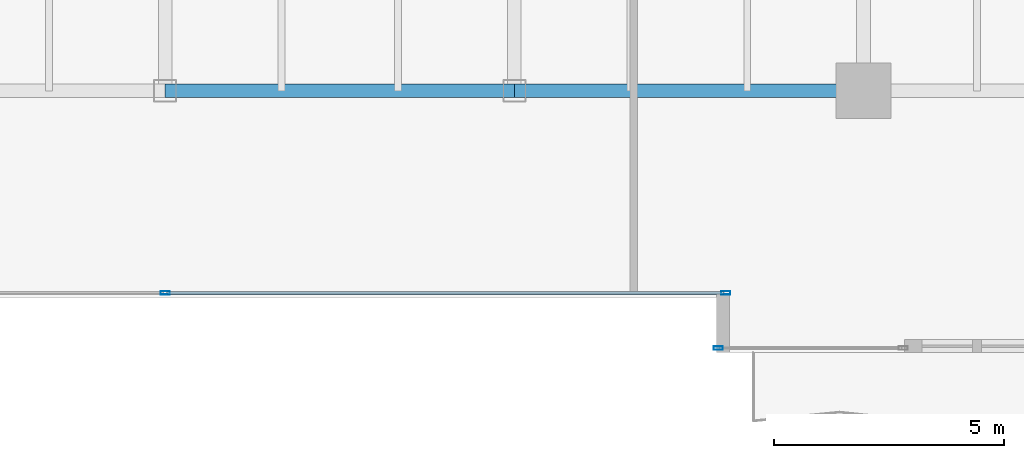
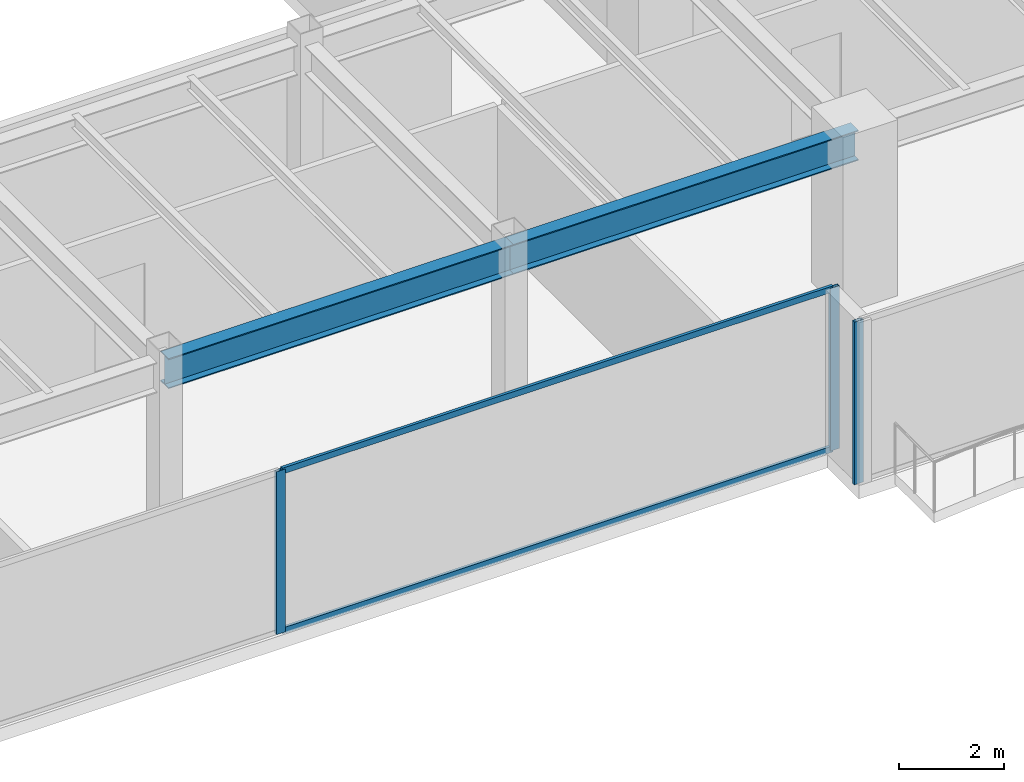
# One storey, part 8 of 30: 5 members, 2 beams, 2 elements without a shape of their own.
"""IFC4 building model written with IfcOpenShell, lengths in metres."""

from ifc_helpers import new_model, si_unit, direction, frame, origin, origin_2d, place, context, subcontext, project, spatial, hollow_rectangle, i_section, extrude, source, transform, mapped, material, layer, layer_set, material_profile, profile_set, type_object, type_shapes, element, aggregate, save


model = new_model("IFC4")

# Units and contexts
model_context = context("Model", 3, precision=1e-05, world=origin(), true_north=direction((0.0, 1.0)))
body_context = subcontext(model_context, "Body", "Model", "MODEL_VIEW")
ifc_project = project(units=[si_unit("LENGTHUNIT", "METRE"), si_unit("AREAUNIT", "SQUARE_METRE"), si_unit("VOLUMEUNIT", "CUBIC_METRE"), si_unit("PLANEANGLEUNIT", "RADIAN"), si_unit("MASSUNIT", "GRAM", prefix="KILO")], contexts=[model_context])

# Site, building, storey
site_placement = place(None, origin())
site = spatial("IfcSite", under=ifc_project, at=site_placement, CompositionType="ELEMENT")
building_placement = place(site_placement, origin())
building = spatial("IfcBuilding", under=site, at=building_placement, Name="Haelvirn Gate Laboratories", CompositionType="ELEMENT")
storey_placement = place(building_placement, frame((0.0, 0.0, 146.10009765625)))
storey = spatial("IfcBuildingStorey", under=building, at=storey_placement, Name="L35", CompositionType="ELEMENT", Elevation=146.10009765625)

# Beams
ifc_material_1 = material(Name="Steel SM355", Category="steel")
ifc_material_profile_1 = material_profile(ifc_material_1, i_section(OverallWidth=0.300048828125, OverallDepth=0.699951171875, WebThickness=0.012939453125, FlangeThickness=0.02392578125, at=origin_2d()), Name="H-700x300x13x24")
ifc_profile_set_1 = profile_set([ifc_material_profile_1], Name="Steel SM355")
beam_type = type_object("IfcBeamType", Name="BM-G-700", PredefinedType="BEAM", material=ifc_profile_set_1)
shared_shape_1 = source(origin(), body_context, "Body", "SweptSolid", [
    extrude(i_section(OverallWidth=0.300048828125, OverallDepth=0.699951171875, WebThickness=0.012939453125, FlangeThickness=0.02392578125, at=origin_2d()), origin(), (0.0, 0.0, 1.0), 7.60009765625),
])
type_shapes(beam_type, [shared_shape_1])
for number, where, z_axis, x_axis, name in (
    (1, (37.39990234375, 7.0, 3.43994140625), (1.0, 0.0, 0.0), (0.0, 1.0, 0.0), "L35 Primary Girder Y7.0 (37.4-45.0)"),
    (2, (45.0, 7.0, 3.43994140625), (1.0, 0.0, 0.0), (0.0, 1.0, 0.0), "L35 Primary Girder Y7.0 (45.0-52.6)"),
):
    element("IfcBeam", number, at=place(storey_placement, frame(where, z_axis=z_axis, x_axis=x_axis)), inside=storey, type_object=beam_type, Name=name, PredefinedType="BEAM", context=body_context, shape_type="MappedRepresentation", body=[
        mapped(shared_shape_1, transform((0.0, 0.0, 0.0), scale=1.0)),
    ])

# Curtain wall, members
ifc_material_2 = material(Name="Anodised bronze unitised aluminium & triple low-E glass", Category="aluminium")
ifc_layer = layer(ifc_material_2, 0.179931640625, Name="CW-SYS-3")
ifc_layer_set = layer_set([ifc_layer], Name="Anodised bronze unitised aluminium & triple low-E glass")
curtain_wall_type = type_object("IfcCurtainWallType", Name="CW-SYS-3", PredefinedType="NOTDEFINED", material=ifc_layer_set)
curtain_wall_1_placement = place(storey_placement, origin())
curtain_wall_1 = element("IfcCurtainWall", 3, at=curtain_wall_1_placement, inside=storey, type_object=curtain_wall_type, Name="L35 Unitised Curtain Wall CW-L35-P0-E02-1", PredefinedType="NOTDEFINED")
ifc_material_3 = material(Name="Extruded aluminium 6063-T6 (anodised bronze)", Category="aluminium")
ifc_material_profile_2 = material_profile(ifc_material_3, hollow_rectangle(XDim=0.06494140625, YDim=0.139892578125, WallThickness=0.00390625, at=origin_2d()), Name="CWT-140x65x4")
ifc_profile_set_2 = profile_set([ifc_material_profile_2], Name="Extruded aluminium 6063-T6 (anodised bronze)")
member_type_1 = type_object("IfcMemberType", Name="CWT-T140", PredefinedType="USERDEFINED", material=ifc_profile_set_2)
shared_shape_2 = source(origin(), body_context, "Body", "SweptSolid", [
    extrude(hollow_rectangle(XDim=0.06494140625, YDim=0.139892578125, WallThickness=0.00390625, at=origin_2d()), origin(), (0.0, 0.0, 1.0), 12.12744140625),
])
type_shapes(member_type_1, [shared_shape_2])
member_1_placement = place(storey_placement, frame((37.4375, 2.60009765625, 0.032470703125), z_axis=(1.0, 0.0, 0.0), x_axis=(0.0, 1.0, 0.0)))
member_1 = element("IfcMember", 4, at=member_1_placement, type_object=member_type_1, Name="CW3 transom 2.1", ObjectType="TRANSOM", PredefinedType="USERDEFINED", context=body_context, shape_type="MappedRepresentation", body=[
    mapped(shared_shape_2, transform((0.0, 0.0, 0.0), scale=1.0)),
])
member_2_placement = place(storey_placement, frame((37.4375, 2.60009765625, 3.75732421875), z_axis=(1.0, 0.0, 0.0), x_axis=(0.0, 1.0, 0.0)))
member_2 = element("IfcMember", 5, at=member_2_placement, type_object=member_type_1, Name="CW3 transom 2.2", ObjectType="TRANSOM", PredefinedType="USERDEFINED", context=body_context, shape_type="MappedRepresentation", body=[
    mapped(shared_shape_2, transform((0.0, 0.0, 0.0), scale=1.0)),
])
ifc_material_profile_3 = material_profile(ifc_material_3, hollow_rectangle(XDim=0.074951171875, YDim=0.199951171875, WallThickness=0.0048828125, at=origin_2d()), Name="CWM-200x75x5")
ifc_profile_set_3 = profile_set([ifc_material_profile_3], Name="Extruded aluminium 6063-T6 (anodised bronze)")
member_type_2 = type_object("IfcMemberType", Name="CWM-T200", PredefinedType="MULLION", material=ifc_profile_set_3)
shared_shape_3 = source(origin(), body_context, "Body", "SweptSolid", [
    extrude(hollow_rectangle(XDim=0.074951171875, YDim=0.199951171875, WallThickness=0.0048828125, at=origin_2d()), origin(), (0.0, 0.0, 1.0), 3.789794921875),
])
type_shapes(member_type_2, [shared_shape_3])
member_3_placement = place(storey_placement, frame((37.39990234375, 2.60009765625, 0.0), z_axis=(0.0, 0.0, 1.0), x_axis=(0.0, 1.0, 0.0)))
member_3 = element("IfcMember", 6, at=member_3_placement, type_object=member_type_2, Name="CW3 mullion 2", PredefinedType="MULLION", context=body_context, shape_type="MappedRepresentation", body=[
    mapped(shared_shape_3, transform((0.0, 0.0, 0.0), scale=1.0)),
])
member_4_placement = place(storey_placement, frame((49.6025390625, 2.60009765625, 0.0), z_axis=(0.0, 0.0, 1.0), x_axis=(0.0, 1.0, 0.0)))
member_4 = element("IfcMember", 7, at=member_4_placement, type_object=member_type_2, Name="CW3 mullion 3", PredefinedType="MULLION", context=body_context, shape_type="MappedRepresentation", body=[
    mapped(shared_shape_3, transform((0.0, 0.0, 0.0), scale=1.0)),
])
aggregate(curtain_wall_1, [member_3, member_4, member_1, member_2])

# Curtain wall, member
curtain_wall_2_placement = place(storey_placement, origin())
curtain_wall_2 = element("IfcCurtainWall", 8, at=curtain_wall_2_placement, inside=storey, type_object=curtain_wall_type, Name="L35 Unitised Curtain Wall CW-L35-P0-E04-1", PredefinedType="NOTDEFINED")
member_5_placement = place(storey_placement, frame((49.4375, 1.39990234375, 0.0), z_axis=(0.0, 0.0, 1.0), x_axis=(0.0, 1.0, 0.0)))
member_5 = element("IfcMember", 9, at=member_5_placement, type_object=member_type_2, Name="CW3 mullion 1", PredefinedType="MULLION", context=body_context, shape_type="MappedRepresentation", body=[
    mapped(shared_shape_3, transform((0.0, 0.0, 0.0), scale=1.0)),
])
aggregate(curtain_wall_2, [member_5])

save(model, "model.ifc")
